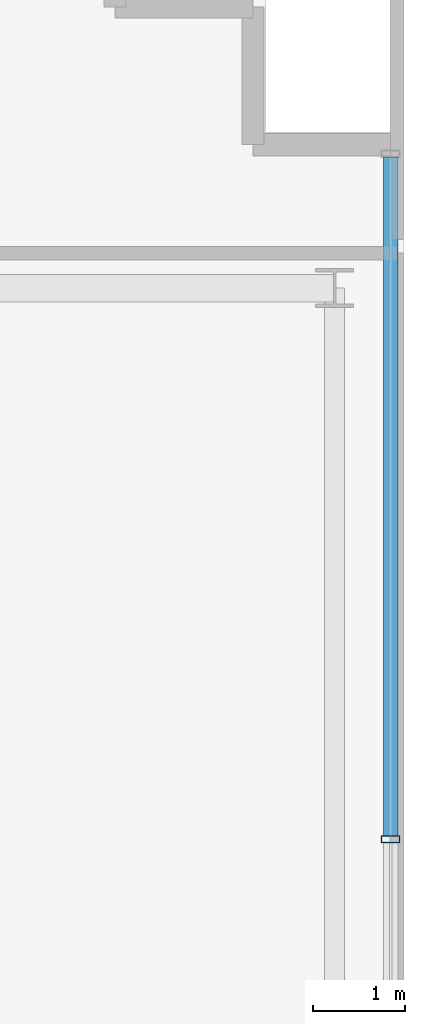
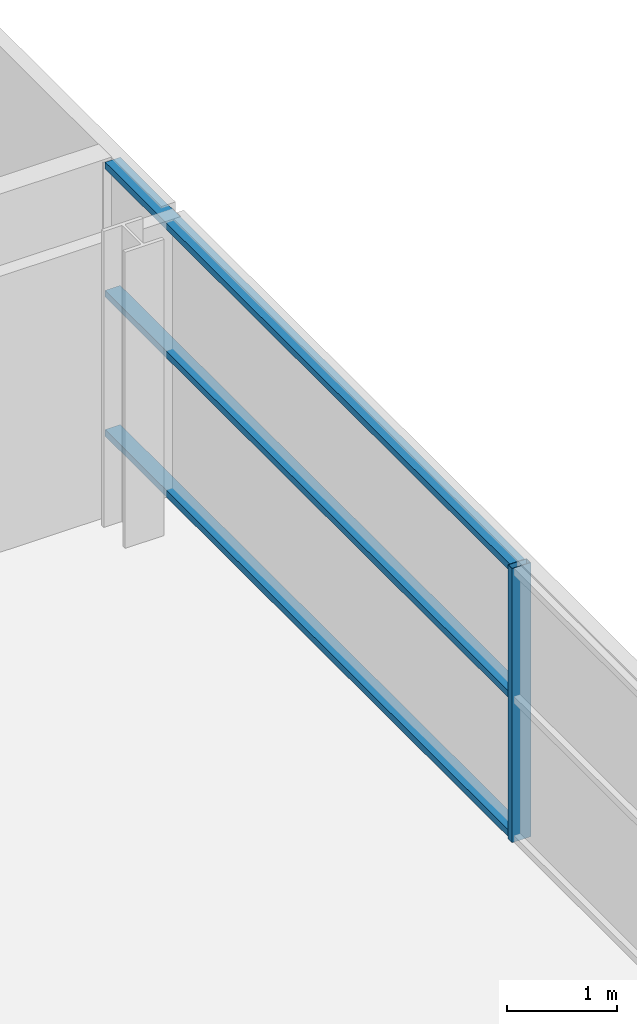
# One storey, part 17 of 31: 4 members, 1 element without a shape of its own.
"""IFC4 building model written with IfcOpenShell, lengths in metres."""

from ifc_helpers import new_model, si_unit, direction, frame, origin, origin_2d, place, context, subcontext, project, spatial, hollow_rectangle, extrude, source, transform, mapped, material, layer, layer_set, material_profile, profile_set, type_object, element, aggregate, save


model = new_model("IFC4")

# Units and contexts
model_context = context("Model", 3, precision=1e-05, world=origin(), true_north=direction((0.0, 1.0)))
body_context = subcontext(model_context, "Body", "Model", "MODEL_VIEW")
ifc_project = project(units=[si_unit("LENGTHUNIT", "METRE"), si_unit("AREAUNIT", "SQUARE_METRE"), si_unit("VOLUMEUNIT", "CUBIC_METRE"), si_unit("PLANEANGLEUNIT", "RADIAN"), si_unit("MASSUNIT", "GRAM", prefix="KILO")], contexts=[model_context])

# Site, building, storey
site_placement = place(None, origin())
site = spatial("IfcSite", under=ifc_project, at=site_placement, CompositionType="ELEMENT")
building_placement = place(site_placement, origin())
building = spatial("IfcBuilding", under=site, at=building_placement, Name="Zarnakvel Exchange Tower", CompositionType="ELEMENT")
storey_placement = place(building_placement, frame((0.0, 0.0, 60.39990234375)))
storey = spatial("IfcBuildingStorey", under=building, at=storey_placement, Name="L16", CompositionType="ELEMENT", Elevation=60.39990234375)

# Curtain wall, members
ifc_material = material(Name="Architectural Bronze Anodised Aluminium", Category="aluminium")
ifc_layer = layer(ifc_material, 0.199951171875)
ifc_layer_set = layer_set([ifc_layer], Name="Architectural Bronze Anodised Aluminium")
curtain_wall_type = type_object("IfcCurtainWallType", Name="CW-04", PredefinedType="NOTDEFINED", material=ifc_layer_set)
curtain_wall_placement = place(storey_placement, origin())
curtain_wall = element("IfcCurtainWall", 1, at=curtain_wall_placement, inside=storey, type_object=curtain_wall_type, Name="L16 Curtain Wall CW-L16-E1 (CW-04)", PredefinedType="NOTDEFINED")
ifc_material_profile_1 = material_profile(ifc_material, hollow_rectangle(XDim=0.199951171875, YDim=0.074951171875, WallThickness=0.0048828125, at=origin_2d()))
ifc_profile_set_1 = profile_set([ifc_material_profile_1], Name="Architectural Bronze Anodised Aluminium")
member_type_1 = type_object("IfcMemberType", Name="CWM-04", PredefinedType="MULLION", material=ifc_profile_set_1)
shared_shape_1 = source(origin(), body_context, "Body", "SweptSolid", [
    extrude(hollow_rectangle(XDim=0.199951171875, YDim=0.074951171875, WallThickness=0.0048828125, at=origin_2d()), origin(), (0.0, 0.0, 1.0), 3.05517578125),
])
member_1_placement = place(storey_placement, frame((32.4599609375, 7.5, 0.0), z_axis=(0.0, 0.0, 1.0), x_axis=(-1.0, 0.0, 0.0)))
member_1 = element("IfcMember", 2, at=member_1_placement, type_object=member_type_1, Name="CW-04 mullion 4", PredefinedType="MULLION", context=body_context, shape_type="MappedRepresentation", body=[
    mapped(shared_shape_1, transform((0.0, 0.0, 0.0), x_axis=(1.0, 0.0, 0.0), y_axis=(0.0, 1.0, 0.0), z_axis=(0.0, 0.0, 1.0), scale=1.0)),
])
ifc_material_profile_2 = material_profile(ifc_material, hollow_rectangle(XDim=0.159912109375, YDim=0.074951171875, WallThickness=0.00390625, at=origin_2d()))
ifc_profile_set_2 = profile_set([ifc_material_profile_2], Name="Architectural Bronze Anodised Aluminium")
member_type_2 = type_object("IfcMemberType", Name="CWT-04", PredefinedType="USERDEFINED", material=ifc_profile_set_2)
shared_shape_2 = source(origin(), body_context, "Body", "SweptSolid", [
    extrude(hollow_rectangle(XDim=0.159912109375, YDim=0.074951171875, WallThickness=0.00390625, at=origin_2d()), origin(), (0.0, 0.0, 1.0), 7.387451171875),
])
member_2_placement = place(storey_placement, frame((32.4599609375, 7.53759765625, 0.03759765625), z_axis=(0.0, 1.0, 0.0), x_axis=(-1.0, 0.0, 0.0)))
member_2 = element("IfcMember", 3, at=member_2_placement, type_object=member_type_2, Name="CW-04 transom 4.1", ObjectType="TRANSOM", PredefinedType="USERDEFINED", context=body_context, shape_type="MappedRepresentation", body=[
    mapped(shared_shape_2, transform((0.0, 0.0, 0.0), x_axis=(1.0, 0.0, 0.0), y_axis=(0.0, 1.0, 0.0), z_axis=(0.0, 0.0, 1.0), scale=1.0)),
])
member_3_placement = place(storey_placement, frame((32.4599609375, 7.53759765625, 1.588623046875), z_axis=(0.0, 1.0, 0.0), x_axis=(-1.0, 0.0, 0.0)))
member_3 = element("IfcMember", 4, at=member_3_placement, type_object=member_type_2, Name="CW-04 transom 4.2", ObjectType="TRANSOM", PredefinedType="USERDEFINED", context=body_context, shape_type="MappedRepresentation", body=[
    mapped(shared_shape_2, transform((0.0, 0.0, 0.0), x_axis=(1.0, 0.0, 0.0), y_axis=(0.0, 1.0, 0.0), z_axis=(0.0, 0.0, 1.0), scale=1.0)),
])
member_4_placement = place(storey_placement, frame((32.4599609375, 7.53759765625, 3.017578125), z_axis=(0.0, 1.0, 0.0), x_axis=(-1.0, 0.0, 0.0)))
member_4 = element("IfcMember", 5, at=member_4_placement, type_object=member_type_2, Name="CW-04 transom 4.3", ObjectType="TRANSOM", PredefinedType="USERDEFINED", context=body_context, shape_type="MappedRepresentation", body=[
    mapped(shared_shape_2, transform((0.0, 0.0, 0.0), x_axis=(1.0, 0.0, 0.0), y_axis=(0.0, 1.0, 0.0), z_axis=(0.0, 0.0, 1.0), scale=1.0)),
])
aggregate(curtain_wall, [member_1, member_2, member_3, member_4])

save(model, "model.ifc")
